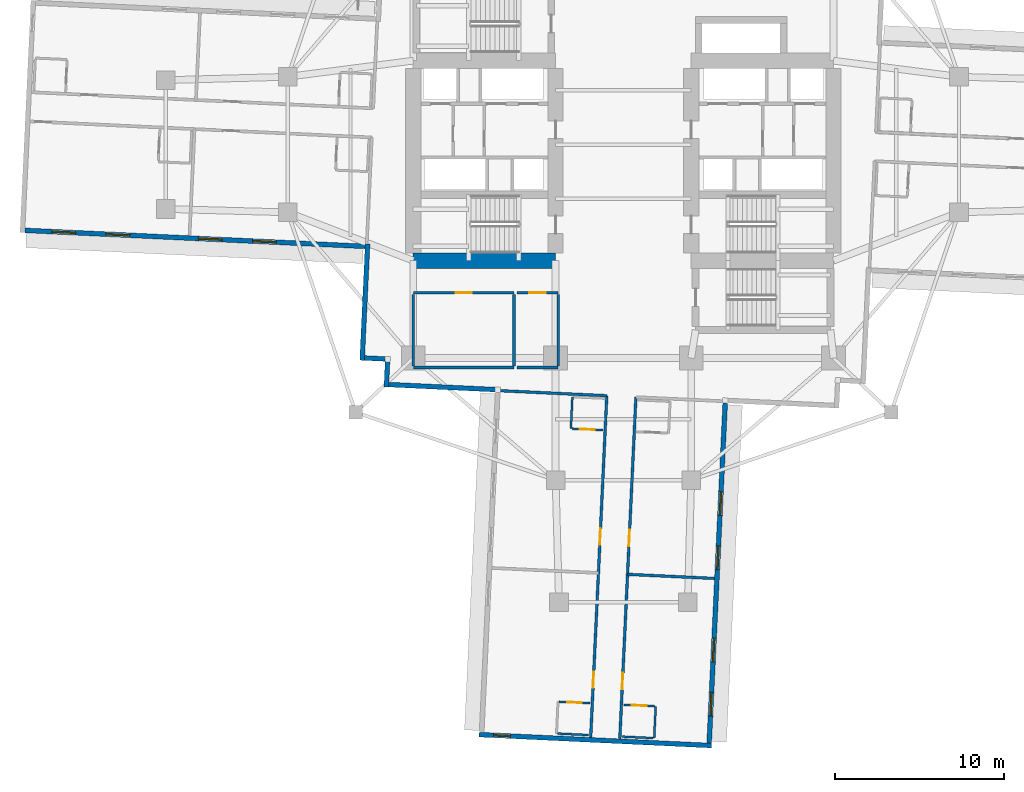
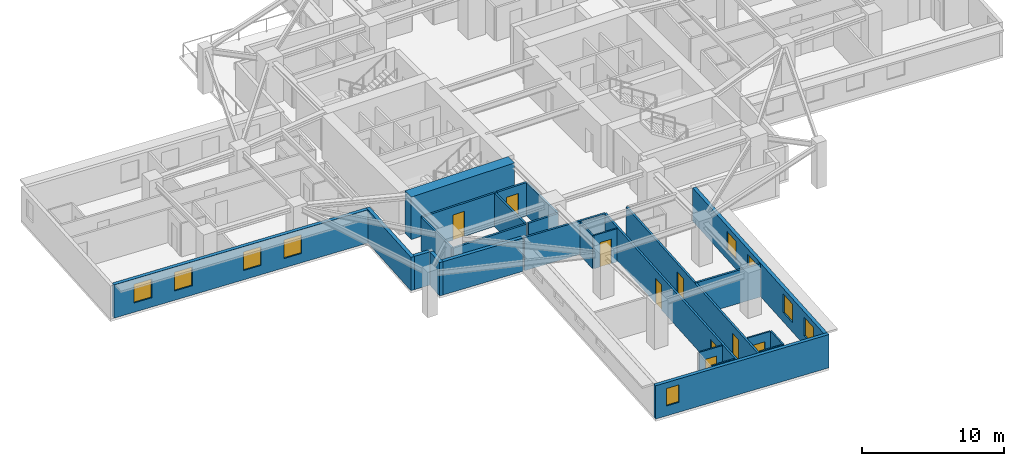
# One storey, part 3 of 13: 26 walls, 9 doors, 9 windows, 18 openings.
"""IFC4 building model written with IfcOpenShell, lengths in metres."""

from ifc_helpers import new_model, si_unit, direction, frame, frame_2d, origin, place, context, subcontext, project, spatial, rectangle, extrude, material, layer, layer_set, type_object, element, fill, save


model = new_model("IFC4")

# Units and contexts
model_context = context("Model", 3, precision=1e-05, world=origin(), true_north=direction((0.0, 1.0)))
body_context = subcontext(model_context, "Body", "Model", "MODEL_VIEW")
ifc_project = project(units=[si_unit("LENGTHUNIT", "METRE"), si_unit("AREAUNIT", "SQUARE_METRE"), si_unit("VOLUMEUNIT", "CUBIC_METRE"), si_unit("PLANEANGLEUNIT", "RADIAN"), si_unit("MASSUNIT", "GRAM", prefix="KILO")], contexts=[model_context])

# Site, building, storey
site_placement = place(None, origin())
site = spatial("IfcSite", under=ifc_project, at=site_placement, CompositionType="ELEMENT")
building_placement = place(site_placement, origin())
building = spatial("IfcBuilding", under=site, at=building_placement, Name="Qingluan Cross Belvedere", CompositionType="ELEMENT")
storey_placement = place(building_placement, frame((0.0, 0.0, 91.199951171875)))
storey = spatial("IfcBuildingStorey", under=building, at=storey_placement, Name="L23", CompositionType="ELEMENT", Elevation=91.199951171875)

# Walls
ifc_material_1 = material(Name="Concrete C70", Category="concrete")
ifc_layer_1 = layer(ifc_material_1, 0.89990234375, Name="CoreShearWall_900")
ifc_layer_set_1 = layer_set([ifc_layer_1], Name="Concrete C70")
wall_type_1 = type_object("IfcWallType", Name="CoreShearWall_900", PredefinedType="SHEAR", material=ifc_layer_set_1)
wall_1_placement = place(storey_placement, frame((-12.39990234375, -6.85009765625, 0.0), z_axis=(0.0, 0.0, 1.0), x_axis=(1.0, 0.0, 0.0)))
element("IfcWall", 1, at=wall_1_placement, inside=storey, type_object=wall_type_1, Name="Split core W shear wall L23-S", PredefinedType="SHEAR", context=body_context, shape_type="SweptSolid", body=[
    extrude(rectangle(XDim=8.39990234375, YDim=0.89990234375, at=frame_2d((4.199951171875, 0.0))), origin(), (0.0, 0.0, 1.0), 3.650146484375),
])
ifc_material_2 = material(Name="Gypsum plasterboard on steel stud acoustic partition", Category="steel")
ifc_layer_2 = layer(ifc_material_2, 0.159912109375, Name="CorridorPartition_160")
ifc_layer_set_2 = layer_set([ifc_layer_2], Name="Gypsum plasterboard on steel stud acoustic partition")
wall_type_2 = type_object("IfcWallType", Name="CorridorPartition_160", PredefinedType="PARTITIONING", material=ifc_layer_set_2)
wall_2_placement = place(storey_placement, frame((-12.39990234375, -13.14990234375, 0.0), z_axis=(0.0, 0.0, 1.0), x_axis=(1.0, 0.0, 0.0)))
element("IfcWall", 2, at=wall_2_placement, inside=storey, type_object=wall_type_2, Name="Partition L23:q_sw1:S", PredefinedType="PARTITIONING", context=body_context, shape_type="SweptSolid", body=[
    extrude(rectangle(XDim=5.949951171875, YDim=0.159912109375, at=frame_2d((2.97509765625, 0.0))), origin(), (0.0, 0.0, 1.0), 2.85009765625),
])

# Wall, opening, door
wall_3_placement = place(storey_placement, frame((-12.39990234375, -8.75, 0.0), z_axis=(0.0, 0.0, 1.0), x_axis=(1.0, 0.0, 0.0)))
wall_3 = element("IfcWall", 3, at=wall_3_placement, inside=storey, type_object=wall_type_2, Name="Partition L23:q_sw1:N", PredefinedType="PARTITIONING", context=body_context, shape_type="SweptSolid", body=[
    extrude(rectangle(XDim=5.949951171875, YDim=0.159912109375, at=frame_2d((2.97509765625, 0.0))), origin(), (0.0, 0.0, 1.0), 2.85009765625),
])
opening_1_placement = place(wall_3_placement, frame((2.4951171875, 0.0, 0.0)))
opening_1 = element("IfcOpeningElement", 4, at=opening_1_placement, cuts=wall_3, Name="Opening GD-10", PredefinedType="OPENING", context=body_context, shape_type="SweptSolid", body=[
    extrude(rectangle(XDim=0.9599609375, YDim=2.14990234375, at=frame_2d((0.47998046875, 1.074951171875))), frame((0.0, 0.08984375, 0.0), z_axis=(0.0, -1.0, 0.0), x_axis=(1.0, 0.0, 0.0)), (0.0, 0.0, 1.0), 0.179931640625),
])
ifc_material_3 = material(Name="Timber oak fire-rated acoustic guestroom door", Category="wood")
door_type_1 = type_object("IfcDoorType", Name="GuestEntryDoor_FD60", OperationType="NOTDEFINED", PredefinedType="DOOR", material=ifc_material_3)
door_1_placement = place(opening_1_placement, origin())
door_1 = element("IfcDoor", 5, at=door_1_placement, inside=storey, type_object=door_type_1, Name="Hydrotherapy treatment room L23 door", OperationType="SINGLE_SWING_LEFT", OverallHeight=2.14990234375, OverallWidth=0.9599609375, PredefinedType="DOOR", context=body_context, shape_type="SweptSolid", body=[
    extrude(rectangle(XDim=0.9599609375, YDim=2.14990234375, at=frame_2d((0.47998046875, 1.074951171875))), frame((0.0, 0.02490234375, 0.0), z_axis=(0.0, -1.0, 0.0), x_axis=(1.0, 0.0, 0.0)), (0.0, 0.0, 1.0), 0.050048828125),
])
fill(opening_1, door_1)

# Walls
for number, where, z_axis, x_axis, name in (
    (6, (-12.39990234375, -13.06494140625, 0.0), (0.0, 0.0, 1.0), (0.0, 1.0, 0.0), "Partition L23:q_sw1:W"),
    (7, (-6.449951171875, -13.06494140625, 0.0), (0.0, 0.0, 1.0), (0.0, 1.0, 0.0), "Partition L23:q_sw1:E"),
):
    element("IfcWall", number, at=place(storey_placement, frame(where, z_axis=z_axis, x_axis=x_axis)), inside=storey, type_object=wall_type_2, Name=name, PredefinedType="PARTITIONING", context=body_context, shape_type="SweptSolid", body=[
        extrude(rectangle(XDim=4.22998046875, YDim=0.159912109375, at=frame_2d((2.114990234375, 0.0))), origin(), (0.0, 0.0, 1.0), 2.85009765625),
    ])
wall_4_placement = place(storey_placement, frame((-6.2900390625, -13.14990234375, 0.0), z_axis=(0.0, 0.0, 1.0), x_axis=(1.0, 0.0, 0.0)))
element("IfcWall", 8, at=wall_4_placement, inside=storey, type_object=wall_type_2, Name="Partition L23:q_sw2:S", PredefinedType="PARTITIONING", context=body_context, shape_type="SweptSolid", body=[
    extrude(rectangle(XDim=2.43994140625, YDim=0.159912109375, at=frame_2d((1.219970703125, 0.0))), origin(), (0.0, 0.0, 1.0), 2.85009765625),
])

# Wall, opening, door
wall_5_placement = place(storey_placement, frame((-6.2900390625, -8.75, 0.0), z_axis=(0.0, 0.0, 1.0), x_axis=(1.0, 0.0, 0.0)))
wall_5 = element("IfcWall", 9, at=wall_5_placement, inside=storey, type_object=wall_type_2, Name="Partition L23:q_sw2:N", PredefinedType="PARTITIONING", context=body_context, shape_type="SweptSolid", body=[
    extrude(rectangle(XDim=2.43994140625, YDim=0.159912109375, at=frame_2d((1.219970703125, 0.0))), origin(), (0.0, 0.0, 1.0), 2.85009765625),
])
opening_2_placement = place(wall_5_placement, frame((0.739990234375, 0.0, 0.0)))
opening_2 = element("IfcOpeningElement", 10, at=opening_2_placement, cuts=wall_5, Name="Opening GD-10", PredefinedType="OPENING", context=body_context, shape_type="SweptSolid", body=[
    extrude(rectangle(XDim=0.9599609375, YDim=2.14990234375, at=frame_2d((0.47998046875, 1.074951171875))), frame((0.0, 0.08984375, 0.0), z_axis=(0.0, -1.0, 0.0), x_axis=(1.0, 0.0, 0.0)), (0.0, 0.0, 1.0), 0.179931640625),
])
door_2_placement = place(opening_2_placement, origin())
door_2 = element("IfcDoor", 11, at=door_2_placement, inside=storey, type_object=door_type_1, Name="Southwest reading room L23 door", OperationType="SINGLE_SWING_RIGHT", OverallHeight=2.14990234375, OverallWidth=0.9599609375, PredefinedType="DOOR", context=body_context, shape_type="SweptSolid", body=[
    extrude(rectangle(XDim=0.9599609375, YDim=2.14990234375, at=frame_2d((0.47998046875, 1.074951171875))), frame((0.0, 0.02490234375, 0.0), z_axis=(0.0, -1.0, 0.0), x_axis=(1.0, 0.0, 0.0)), (0.0, 0.0, 1.0), 0.050048828125),
])
fill(opening_2, door_2)

# Wall
wall_6_placement = place(storey_placement, frame((-3.85009765625, -13.06494140625, 0.0), z_axis=(0.0, 0.0, 1.0), x_axis=(0.0, 1.0, 0.0)))
element("IfcWall", 12, at=wall_6_placement, inside=storey, type_object=wall_type_2, Name="Partition L23:q_sw2:E", PredefinedType="PARTITIONING", context=body_context, shape_type="SweptSolid", body=[
    extrude(rectangle(XDim=4.22998046875, YDim=0.159912109375, at=frame_2d((2.114990234375, 0.0))), origin(), (0.0, 0.0, 1.0), 2.85009765625),
])

# Wall, openings, doors
wall_7_placement = place(storey_placement, frame((0.739013671875, -14.9013671875, 0.0), z_axis=(0.0, 0.0, 1.0), x_axis=(-0.047117991871, -0.998889330628, 0.0)))
wall_7 = element("IfcWall", 13, at=wall_7_placement, inside=storey, type_object=wall_type_2, Name="Partition L23:S:c0", PredefinedType="PARTITIONING", context=body_context, shape_type="SweptSolid", body=[
    extrude(rectangle(XDim=20.181884765625, YDim=0.159912109375, at=frame_2d((10.0908203125, 0.0))), origin(), (0.0, 0.0, 1.0), 2.85009765625),
])
opening_3_placement = place(wall_7_placement, frame((7.8359375, 0.0, 0.0)))
opening_3 = element("IfcOpeningElement", 14, at=opening_3_placement, cuts=wall_7, Name="Opening GD-10", PredefinedType="OPENING", context=body_context, shape_type="SweptSolid", body=[
    extrude(rectangle(XDim=0.9599609375, YDim=2.14990234375, at=frame_2d((0.47998046875, 1.074951171875))), frame((0.0, 0.08984375, 0.0), z_axis=(0.0, -1.0, 0.0), x_axis=(1.0, 0.0, 0.0)), (0.0, 0.0, 1.0), 0.179931640625),
])
opening_4_placement = place(wall_7_placement, frame((16.2958984375, 0.0, 0.0)))
opening_4 = element("IfcOpeningElement", 15, at=opening_4_placement, cuts=wall_7, Name="Opening GD-10", PredefinedType="OPENING", context=body_context, shape_type="SweptSolid", body=[
    extrude(rectangle(XDim=0.9599609375, YDim=2.14990234375, at=frame_2d((0.47998046875, 1.074951171875))), frame((0.0, 0.08984375, 0.0), z_axis=(0.0, -1.0, 0.0), x_axis=(1.0, 0.0, 0.0)), (0.0, 0.0, 1.0), 0.179931640625),
])
door_3_placement = place(opening_3_placement, origin())
door_3 = element("IfcDoor", 16, at=door_3_placement, inside=storey, type_object=door_type_1, Name="Guest entry fire door 2313", OperationType="SINGLE_SWING_LEFT", OverallHeight=2.14990234375, OverallWidth=0.9599609375, PredefinedType="DOOR", context=body_context, shape_type="SweptSolid", body=[
    extrude(rectangle(XDim=0.9599609375, YDim=2.14990234375, at=frame_2d((0.47998046875, 1.074951171875))), frame((0.0, 0.02490234375, 0.0), z_axis=(0.0, -1.0, 0.0), x_axis=(1.0, 0.0, 0.0)), (0.0, 0.0, 1.0), 0.050048828125),
])
fill(opening_3, door_3)
door_4_placement = place(opening_4_placement, origin())
door_4 = element("IfcDoor", 17, at=door_4_placement, inside=storey, type_object=door_type_1, Name="Guest entry fire door 2314", OperationType="SINGLE_SWING_LEFT", OverallHeight=2.14990234375, OverallWidth=0.9599609375, PredefinedType="DOOR", context=body_context, shape_type="SweptSolid", body=[
    extrude(rectangle(XDim=0.9599609375, YDim=2.14990234375, at=frame_2d((0.47998046875, 1.074951171875))), frame((0.0, 0.02490234375, 0.0), z_axis=(0.0, -1.0, 0.0), x_axis=(1.0, 0.0, 0.0)), (0.0, 0.0, 1.0), 0.050048828125),
])
fill(opening_4, door_4)

# Wall
wall_8_placement = place(storey_placement, frame((0.24560546875, -25.359619140625, 0.0), z_axis=(0.0, 0.0, 1.0), x_axis=(0.998890413328, -0.047095033298, 0.0)))
element("IfcWall", 18, at=wall_8_placement, inside=storey, type_object=wall_type_2, Name="Partition L23:S:d0_0", PredefinedType="PARTITIONING", context=body_context, shape_type="SweptSolid", body=[
    extrude(rectangle(XDim=5.132080078125, YDim=0.159912109375, at=frame_2d((2.56591796875, 0.0))), origin(), (0.0, 0.0, 1.0), 2.85009765625),
])

# Wall, openings, doors
wall_9_placement = place(storey_placement, frame((-0.979248046875, -14.8203125, 0.0), z_axis=(0.0, 0.0, 1.0), x_axis=(-0.047105352469, -0.998889926753, 0.0)))
wall_9 = element("IfcWall", 19, at=wall_9_placement, inside=storey, type_object=wall_type_2, Name="Partition L23:S:c1", PredefinedType="PARTITIONING", context=body_context, shape_type="SweptSolid", body=[
    extrude(rectangle(XDim=20.18212890625, YDim=0.159912109375, at=frame_2d((10.091064453125, 0.0))), origin(), (0.0, 0.0, 1.0), 2.85009765625),
])
opening_5_placement = place(wall_9_placement, frame((7.8359375, 0.0, 0.0)))
opening_5 = element("IfcOpeningElement", 20, at=opening_5_placement, cuts=wall_9, Name="Opening GD-10", PredefinedType="OPENING", context=body_context, shape_type="SweptSolid", body=[
    extrude(rectangle(XDim=0.9599609375, YDim=2.14990234375, at=frame_2d((0.47998046875, 1.074951171875))), frame((0.0, 0.08984375, 0.0), z_axis=(0.0, -1.0, 0.0), x_axis=(1.0, 0.0, 0.0)), (0.0, 0.0, 1.0), 0.179931640625),
])
opening_6_placement = place(wall_9_placement, frame((16.2958984375, 0.0, 0.0)))
opening_6 = element("IfcOpeningElement", 21, at=opening_6_placement, cuts=wall_9, Name="Opening GD-10", PredefinedType="OPENING", context=body_context, shape_type="SweptSolid", body=[
    extrude(rectangle(XDim=0.9599609375, YDim=2.14990234375, at=frame_2d((0.47998046875, 1.074951171875))), frame((0.0, 0.08984375, 0.0), z_axis=(0.0, -1.0, 0.0), x_axis=(1.0, 0.0, 0.0)), (0.0, 0.0, 1.0), 0.179931640625),
])
door_5_placement = place(opening_5_placement, origin())
door_5 = element("IfcDoor", 22, at=door_5_placement, inside=storey, type_object=door_type_1, Name="Guest entry fire door 2315", OperationType="SINGLE_SWING_LEFT", OverallHeight=2.14990234375, OverallWidth=0.9599609375, PredefinedType="DOOR", context=body_context, shape_type="SweptSolid", body=[
    extrude(rectangle(XDim=0.9599609375, YDim=2.14990234375, at=frame_2d((0.47998046875, 1.074951171875))), frame((0.0, 0.02490234375, 0.0), z_axis=(0.0, -1.0, 0.0), x_axis=(1.0, 0.0, 0.0)), (0.0, 0.0, 1.0), 0.050048828125),
])
fill(opening_5, door_5)
door_6_placement = place(opening_6_placement, origin())
door_6 = element("IfcDoor", 23, at=door_6_placement, inside=storey, type_object=door_type_1, Name="Guest entry fire door 2316", OperationType="SINGLE_SWING_LEFT", OverallHeight=2.14990234375, OverallWidth=0.9599609375, PredefinedType="DOOR", context=body_context, shape_type="SweptSolid", body=[
    extrude(rectangle(XDim=0.9599609375, YDim=2.14990234375, at=frame_2d((0.47998046875, 1.074951171875))), frame((0.0, 0.02490234375, 0.0), z_axis=(0.0, -1.0, 0.0), x_axis=(1.0, 0.0, 0.0)), (0.0, 0.0, 1.0), 0.050048828125),
])
fill(opening_6, door_6)

# Wall
wall_10_placement = place(storey_placement, frame((-0.979248046875, -14.8203125, 0.0), z_axis=(0.0, 0.0, 1.0), x_axis=(-0.998890922349, 0.047084235666, 0.0)))
element("IfcWall", 24, at=wall_10_placement, inside=storey, type_object=wall_type_2, Name="Partition L23:S:s1", PredefinedType="PARTITIONING", context=body_context, shape_type="SweptSolid", body=[
    extrude(rectangle(XDim=6.43994140625, YDim=0.159912109375, at=frame_2d((3.219970703125, 0.0))), origin(), (0.0, 0.0, 1.0), 2.85009765625),
])

# Wall, opening, door
ifc_material_4 = material(Name="Moisture-resistant gypsum board lining")
ifc_layer_3 = layer(ifc_material_4, 0.1201171875, Name="EnsuiteWetPartition_120")
ifc_layer_set_3 = layer_set([ifc_layer_3], Name="Moisture-resistant gypsum board lining")
wall_type_3 = type_object("IfcWallType", Name="EnsuiteWetPartition_120", PredefinedType="PARTITIONING", material=ifc_layer_set_3)
wall_11_placement = place(storey_placement, frame((0.022705078125, -33.057861328125, 0.0), z_axis=(0.0, 0.0, 1.0), x_axis=(0.998891083954, -0.047080807099, 0.0)))
wall_11 = element("IfcWall", 25, at=wall_11_placement, inside=storey, type_object=wall_type_3, Name="Partition L23:S:bs0_1", PredefinedType="PARTITIONING", context=body_context, shape_type="SweptSolid", body=[
    extrude(rectangle(XDim=1.820068359375, YDim=0.1201171875, at=frame_2d((0.91015625, 0.0))), origin(), (0.0, 0.0, 1.0), 2.85009765625),
])
opening_7_placement = place(wall_11_placement, frame((0.469970703125, 0.0, 0.0)))
opening_7 = element("IfcOpeningElement", 26, at=opening_7_placement, cuts=wall_11, Name="Opening BD-09", PredefinedType="OPENING", context=body_context, shape_type="SweptSolid", body=[
    extrude(rectangle(XDim=0.8798828125, YDim=2.10009765625, at=frame_2d((0.43994140625, 1.050048828125))), frame((0.0, 0.070068359375, 0.0), z_axis=(0.0, -1.0, 0.0), x_axis=(1.0, 0.0, 0.0)), (0.0, 0.0, 1.0), 0.14013671875),
])
ifc_material_5 = material(Name="Moisture-sealed timber en-suite door", Category="wood")
door_type_2 = type_object("IfcDoorType", Name="BathroomDoor_880", OperationType="NOTDEFINED", PredefinedType="DOOR", material=ifc_material_5)
door_7_placement = place(opening_7_placement, origin())
door_7 = element("IfcDoor", 27, at=door_7_placement, inside=storey, type_object=door_type_2, Name="Bathroom door 2314", OperationType="SINGLE_SWING_RIGHT", OverallHeight=2.10009765625, OverallWidth=0.8798828125, PredefinedType="DOOR", context=body_context, shape_type="SweptSolid", body=[
    extrude(rectangle(XDim=0.8798828125, YDim=2.10009765625, at=frame_2d((0.43994140625, 1.050048828125))), frame((0.0, 0.02490234375, 0.0), z_axis=(0.0, -1.0, 0.0), x_axis=(1.0, 0.0, 0.0)), (0.0, 0.0, 1.0), 0.050048828125),
])
fill(opening_7, door_7)

# Walls
wall_12_placement = place(storey_placement, frame((-0.06591796875, -34.935791015625, 0.0), z_axis=(0.0, 0.0, 1.0), x_axis=(0.998891083954, -0.047080807099, 0.0)))
element("IfcWall", 28, at=wall_12_placement, inside=storey, type_object=wall_type_3, Name="Partition L23:S:bw0_1", PredefinedType="PARTITIONING", context=body_context, shape_type="SweptSolid", body=[
    extrude(rectangle(XDim=1.820068359375, YDim=0.1201171875, at=frame_2d((0.91015625, 0.0))), origin(), (0.0, 0.0, 1.0), 2.85009765625),
])
wall_13_placement = place(storey_placement, frame((1.90576171875, -33.146484375, 0.0), z_axis=(0.0, 0.0, 1.0), x_axis=(-0.047139425368, -0.998888319371, 0.0)))
element("IfcWall", 29, at=wall_13_placement, inside=storey, type_object=wall_type_3, Name="Partition L23:S:bn0_1", PredefinedType="PARTITIONING", context=body_context, shape_type="SweptSolid", body=[
    extrude(rectangle(XDim=1.880126953125, YDim=0.1201171875, at=frame_2d((0.93994140625, 0.0))), origin(), (0.0, 0.0, 1.0), 2.85009765625),
])

# Wall, opening, door
wall_14_placement = place(storey_placement, frame((-3.033203125, -16.765625, 0.0), z_axis=(0.0, 0.0, 1.0), x_axis=(0.998884766924, -0.047214641863, 0.0)))
wall_14 = element("IfcWall", 30, at=wall_14_placement, inside=storey, type_object=wall_type_3, Name="Partition L23:S:bs1_0", PredefinedType="PARTITIONING", context=body_context, shape_type="SweptSolid", body=[
    extrude(rectangle(XDim=1.820068359375, YDim=0.1201171875, at=frame_2d((0.91015625, 0.0))), origin(), (0.0, 0.0, 1.0), 2.85009765625),
])
opening_8_placement = place(wall_14_placement, frame((0.469970703125, 0.0, 0.0)))
opening_8 = element("IfcOpeningElement", 31, at=opening_8_placement, cuts=wall_14, Name="Opening BD-09", PredefinedType="OPENING", context=body_context, shape_type="SweptSolid", body=[
    extrude(rectangle(XDim=0.8798828125, YDim=2.10009765625, at=frame_2d((0.43994140625, 1.050048828125))), frame((0.0, 0.070068359375, 0.0), z_axis=(0.0, -1.0, 0.0), x_axis=(1.0, 0.0, 0.0)), (0.0, 0.0, 1.0), 0.14013671875),
])
door_8_placement = place(opening_8_placement, origin())
door_8 = element("IfcDoor", 32, at=door_8_placement, inside=storey, type_object=door_type_2, Name="Bathroom door 2315", OperationType="SINGLE_SWING_RIGHT", OverallHeight=2.10009765625, OverallWidth=0.8798828125, PredefinedType="DOOR", context=body_context, shape_type="SweptSolid", body=[
    extrude(rectangle(XDim=0.8798828125, YDim=2.10009765625, at=frame_2d((0.43994140625, 1.050048828125))), frame((0.0, 0.02490234375, 0.0), z_axis=(0.0, -1.0, 0.0), x_axis=(1.0, 0.0, 0.0)), (0.0, 0.0, 1.0), 0.050048828125),
])
fill(opening_8, door_8)

# Wall
wall_15_placement = place(storey_placement, frame((-3.009521484375, -14.884765625, 0.0), z_axis=(0.0, 0.0, 1.0), x_axis=(-0.047139425368, -0.998888319371, 0.0)))
element("IfcWall", 33, at=wall_15_placement, inside=storey, type_object=wall_type_3, Name="Partition L23:S:bc1_0", PredefinedType="PARTITIONING", context=body_context, shape_type="SweptSolid", body=[
    extrude(rectangle(XDim=1.880126953125, YDim=0.1201171875, at=frame_2d((0.93994140625, 0.0))), origin(), (0.0, 0.0, 1.0), 2.85009765625),
])

# Wall, opening, door
wall_16_placement = place(storey_placement, frame((-3.79296875, -32.877685546875, 0.0), z_axis=(0.0, 0.0, 1.0), x_axis=(0.998884467853, -0.047220968666, 0.0)))
wall_16 = element("IfcWall", 34, at=wall_16_placement, inside=storey, type_object=wall_type_3, Name="Partition L23:S:bs1_1", PredefinedType="PARTITIONING", context=body_context, shape_type="SweptSolid", body=[
    extrude(rectangle(XDim=1.81982421875, YDim=0.1201171875, at=frame_2d((0.909912109375, 0.0))), origin(), (0.0, 0.0, 1.0), 2.85009765625),
])
opening_9_placement = place(wall_16_placement, frame((0.469970703125, 0.0, 0.0)))
opening_9 = element("IfcOpeningElement", 35, at=opening_9_placement, cuts=wall_16, Name="Opening BD-09", PredefinedType="OPENING", context=body_context, shape_type="SweptSolid", body=[
    extrude(rectangle(XDim=0.8798828125, YDim=2.10009765625, at=frame_2d((0.43994140625, 1.050048828125))), frame((0.0, 0.070068359375, 0.0), z_axis=(0.0, -1.0, 0.0), x_axis=(1.0, 0.0, 0.0)), (0.0, 0.0, 1.0), 0.14013671875),
])
door_9_placement = place(opening_9_placement, origin())
door_9 = element("IfcDoor", 36, at=door_9_placement, inside=storey, type_object=door_type_2, Name="Bathroom door 2316", OperationType="SINGLE_SWING_RIGHT", OverallHeight=2.10009765625, OverallWidth=0.8798828125, PredefinedType="DOOR", context=body_context, shape_type="SweptSolid", body=[
    extrude(rectangle(XDim=0.8798828125, YDim=2.10009765625, at=frame_2d((0.43994140625, 1.050048828125))), frame((0.0, 0.02490234375, 0.0), z_axis=(0.0, -1.0, 0.0), x_axis=(1.0, 0.0, 0.0)), (0.0, 0.0, 1.0), 0.050048828125),
])
fill(opening_9, door_9)

# Wall
wall_17_placement = place(storey_placement, frame((-3.881591796875, -34.755615234375, 0.0), z_axis=(0.0, 0.0, 1.0), x_axis=(0.998884766924, -0.047214641863, 0.0)))
element("IfcWall", 37, at=wall_17_placement, inside=storey, type_object=wall_type_3, Name="Partition L23:S:bw1_1", PredefinedType="PARTITIONING", context=body_context, shape_type="SweptSolid", body=[
    extrude(rectangle(XDim=1.820068359375, YDim=0.1201171875, at=frame_2d((0.91015625, 0.0))), origin(), (0.0, 0.0, 1.0), 2.85009765625),
])

# Wall, openings, windows
ifc_material_6 = material(Name="Precast concrete C45", Category="concrete")
ifc_layer_4 = layer(ifc_material_6, 0.280029296875, Name="PrecastFacadeWall_280")
ifc_layer_set_4 = layer_set([ifc_layer_4], Name="Precast concrete C45")
wall_type_4 = type_object("IfcWallType", Name="PrecastFacadeWall_280", PredefinedType="STANDARD", material=ifc_layer_set_4)
wall_18_placement = place(storey_placement, frame((-35.317626953125, -5.06201171875, 0.0), z_axis=(0.0, 0.0, 1.0), x_axis=(0.998890015344, -0.047103473814, 0.0)))
wall_18 = element("IfcWall", 38, at=wall_18_placement, inside=storey, type_object=wall_type_4, Name="Facade wall L23-WB", PredefinedType="STANDARD", context=body_context, shape_type="SweptSolid", body=[
    extrude(rectangle(XDim=20.099853515625, YDim=0.280029296875, at=frame_2d((10.0498046875, 0.0))), origin(), (0.0, 0.0, 1.0), 2.860107421875),
])
opening_10_placement = place(wall_18_placement, frame((1.60009765625, 0.0, 0.800048828125)))
opening_10 = element("IfcOpeningElement", 39, at=opening_10_placement, cuts=wall_18, Name="Opening W-01", PredefinedType="OPENING", context=body_context, shape_type="SweptSolid", body=[
    extrude(rectangle(XDim=1.39990234375, YDim=1.60009765625, at=frame_2d((0.699951171875, 0.800048828125))), frame((0.0, 0.14990234375, 0.0), z_axis=(0.0, -1.0, 0.0), x_axis=(1.0, 0.0, 0.0)), (0.0, 0.0, 1.0), 0.300048828125),
])
opening_11_placement = place(wall_18_placement, frame((4.800048828125, 0.0, 0.800048828125)))
opening_11 = element("IfcOpeningElement", 40, at=opening_11_placement, cuts=wall_18, Name="Opening W-01", PredefinedType="OPENING", context=body_context, shape_type="SweptSolid", body=[
    extrude(rectangle(XDim=1.39990234375, YDim=1.60009765625, at=frame_2d((0.699951171875, 0.800048828125))), frame((0.0, 0.14990234375, 0.0), z_axis=(0.0, -1.0, 0.0), x_axis=(1.0, 0.0, 0.0)), (0.0, 0.0, 1.0), 0.300048828125),
])
opening_12_placement = place(wall_18_placement, frame((10.25, 0.0, 0.800048828125)))
opening_12 = element("IfcOpeningElement", 41, at=opening_12_placement, cuts=wall_18, Name="Opening W-01", PredefinedType="OPENING", context=body_context, shape_type="SweptSolid", body=[
    extrude(rectangle(XDim=1.39990234375, YDim=1.60009765625, at=frame_2d((0.699951171875, 0.800048828125))), frame((0.0, 0.14990234375, 0.0), z_axis=(0.0, -1.0, 0.0), x_axis=(1.0, 0.0, 0.0)), (0.0, 0.0, 1.0), 0.300048828125),
])
opening_13_placement = place(wall_18_placement, frame((13.449951171875, 0.0, 0.800048828125)))
opening_13 = element("IfcOpeningElement", 42, at=opening_13_placement, cuts=wall_18, Name="Opening W-01", PredefinedType="OPENING", context=body_context, shape_type="SweptSolid", body=[
    extrude(rectangle(XDim=1.39990234375, YDim=1.60009765625, at=frame_2d((0.699951171875, 0.800048828125))), frame((0.0, 0.14990234375, 0.0), z_axis=(0.0, -1.0, 0.0), x_axis=(1.0, 0.0, 0.0)), (0.0, 0.0, 1.0), 0.300048828125),
])
ifc_material_7 = material(Name="Thermally broken triple Low-E glass in aluminium frame", Category="aluminium")
window_type_1 = type_object("IfcWindowType", Name="TriRibbonWin_1400x1600", PartitioningType="SINGLE_PANEL", PredefinedType="WINDOW", material=ifc_material_7)
window_1_placement = place(opening_10_placement, origin())
window_1 = element("IfcWindow", 43, at=window_1_placement, inside=storey, type_object=window_type_1, Name="Ribbon window L23-WB-1", OverallHeight=1.60009765625, OverallWidth=1.39990234375, PartitioningType="SINGLE_PANEL", PredefinedType="WINDOW", context=body_context, shape_type="SweptSolid", body=[
    extrude(rectangle(XDim=1.39990234375, YDim=1.60009765625, at=frame_2d((0.699951171875, 0.800048828125))), frame((0.0, 0.030029296875, 0.0), z_axis=(0.0, -1.0, 0.0), x_axis=(1.0, 0.0, 0.0)), (0.0, 0.0, 1.0), 0.06005859375),
])
fill(opening_10, window_1)
window_2_placement = place(opening_11_placement, origin())
window_2 = element("IfcWindow", 44, at=window_2_placement, inside=storey, type_object=window_type_1, Name="Ribbon window L23-WB-2", OverallHeight=1.60009765625, OverallWidth=1.39990234375, PartitioningType="SINGLE_PANEL", PredefinedType="WINDOW", context=body_context, shape_type="SweptSolid", body=[
    extrude(rectangle(XDim=1.39990234375, YDim=1.60009765625, at=frame_2d((0.699951171875, 0.800048828125))), frame((0.0, 0.030029296875, 0.0), z_axis=(0.0, -1.0, 0.0), x_axis=(1.0, 0.0, 0.0)), (0.0, 0.0, 1.0), 0.06005859375),
])
fill(opening_11, window_2)
window_3_placement = place(opening_12_placement, origin())
window_3 = element("IfcWindow", 45, at=window_3_placement, inside=storey, type_object=window_type_1, Name="Ribbon window L23-WB-3", OverallHeight=1.60009765625, OverallWidth=1.39990234375, PartitioningType="SINGLE_PANEL", PredefinedType="WINDOW", context=body_context, shape_type="SweptSolid", body=[
    extrude(rectangle(XDim=1.39990234375, YDim=1.60009765625, at=frame_2d((0.699951171875, 0.800048828125))), frame((0.0, 0.030029296875, 0.0), z_axis=(0.0, -1.0, 0.0), x_axis=(1.0, 0.0, 0.0)), (0.0, 0.0, 1.0), 0.06005859375),
])
fill(opening_12, window_3)
window_4_placement = place(opening_13_placement, origin())
window_4 = element("IfcWindow", 46, at=window_4_placement, inside=storey, type_object=window_type_1, Name="Ribbon window L23-WB-4", OverallHeight=1.60009765625, OverallWidth=1.39990234375, PartitioningType="SINGLE_PANEL", PredefinedType="WINDOW", context=body_context, shape_type="SweptSolid", body=[
    extrude(rectangle(XDim=1.39990234375, YDim=1.60009765625, at=frame_2d((0.699951171875, 0.800048828125))), frame((0.0, 0.030029296875, 0.0), z_axis=(0.0, -1.0, 0.0), x_axis=(1.0, 0.0, 0.0)), (0.0, 0.0, 1.0), 0.06005859375),
])
fill(opening_13, window_4)

wall_19_placement = place(storey_placement, frame((5.06201171875, -35.317626953125, 0.0), z_axis=(0.0, 0.0, 1.0), x_axis=(0.047103473814, 0.998890015344, 0.0)))
wall_19 = element("IfcWall", 47, at=wall_19_placement, inside=storey, type_object=wall_type_4, Name="Facade wall L23-SB", PredefinedType="STANDARD", context=body_context, shape_type="SweptSolid", body=[
    extrude(rectangle(XDim=20.099853515625, YDim=0.280029296875, at=frame_2d((10.0498046875, 0.0))), origin(), (0.0, 0.0, 1.0), 2.860107421875),
])
opening_14_placement = place(wall_19_placement, frame((1.60009765625, 0.0, 0.800048828125)))
opening_14 = element("IfcOpeningElement", 48, at=opening_14_placement, cuts=wall_19, Name="Opening W-01", PredefinedType="OPENING", context=body_context, shape_type="SweptSolid", body=[
    extrude(rectangle(XDim=1.39990234375, YDim=1.60009765625, at=frame_2d((0.699951171875, 0.800048828125))), frame((0.0, 0.14990234375, 0.0), z_axis=(0.0, -1.0, 0.0), x_axis=(1.0, 0.0, 0.0)), (0.0, 0.0, 1.0), 0.300048828125),
])
opening_15_placement = place(wall_19_placement, frame((4.800048828125, 0.0, 0.800048828125)))
opening_15 = element("IfcOpeningElement", 49, at=opening_15_placement, cuts=wall_19, Name="Opening W-01", PredefinedType="OPENING", context=body_context, shape_type="SweptSolid", body=[
    extrude(rectangle(XDim=1.39990234375, YDim=1.60009765625, at=frame_2d((0.699951171875, 0.800048828125))), frame((0.0, 0.14990234375, 0.0), z_axis=(0.0, -1.0, 0.0), x_axis=(1.0, 0.0, 0.0)), (0.0, 0.0, 1.0), 0.300048828125),
])
opening_16_placement = place(wall_19_placement, frame((10.25, 0.0, 0.800048828125)))
opening_16 = element("IfcOpeningElement", 50, at=opening_16_placement, cuts=wall_19, Name="Opening W-01", PredefinedType="OPENING", context=body_context, shape_type="SweptSolid", body=[
    extrude(rectangle(XDim=1.39990234375, YDim=1.60009765625, at=frame_2d((0.699951171875, 0.800048828125))), frame((0.0, 0.14990234375, 0.0), z_axis=(0.0, -1.0, 0.0), x_axis=(1.0, 0.0, 0.0)), (0.0, 0.0, 1.0), 0.300048828125),
])
opening_17_placement = place(wall_19_placement, frame((13.449951171875, 0.0, 0.800048828125)))
opening_17 = element("IfcOpeningElement", 51, at=opening_17_placement, cuts=wall_19, Name="Opening W-01", PredefinedType="OPENING", context=body_context, shape_type="SweptSolid", body=[
    extrude(rectangle(XDim=1.39990234375, YDim=1.60009765625, at=frame_2d((0.699951171875, 0.800048828125))), frame((0.0, 0.14990234375, 0.0), z_axis=(0.0, -1.0, 0.0), x_axis=(1.0, 0.0, 0.0)), (0.0, 0.0, 1.0), 0.300048828125),
])
window_5_placement = place(opening_14_placement, origin())
window_5 = element("IfcWindow", 52, at=window_5_placement, inside=storey, type_object=window_type_1, Name="Ribbon window L23-SB-1", OverallHeight=1.60009765625, OverallWidth=1.39990234375, PartitioningType="SINGLE_PANEL", PredefinedType="WINDOW", context=body_context, shape_type="SweptSolid", body=[
    extrude(rectangle(XDim=1.39990234375, YDim=1.60009765625, at=frame_2d((0.699951171875, 0.800048828125))), frame((0.0, 0.030029296875, 0.0), z_axis=(0.0, -1.0, 0.0), x_axis=(1.0, 0.0, 0.0)), (0.0, 0.0, 1.0), 0.06005859375),
])
fill(opening_14, window_5)
window_6_placement = place(opening_15_placement, origin())
window_6 = element("IfcWindow", 53, at=window_6_placement, inside=storey, type_object=window_type_1, Name="Ribbon window L23-SB-2", OverallHeight=1.60009765625, OverallWidth=1.39990234375, PartitioningType="SINGLE_PANEL", PredefinedType="WINDOW", context=body_context, shape_type="SweptSolid", body=[
    extrude(rectangle(XDim=1.39990234375, YDim=1.60009765625, at=frame_2d((0.699951171875, 0.800048828125))), frame((0.0, 0.030029296875, 0.0), z_axis=(0.0, -1.0, 0.0), x_axis=(1.0, 0.0, 0.0)), (0.0, 0.0, 1.0), 0.06005859375),
])
fill(opening_15, window_6)
window_7_placement = place(opening_16_placement, origin())
window_7 = element("IfcWindow", 54, at=window_7_placement, inside=storey, type_object=window_type_1, Name="Ribbon window L23-SB-3", OverallHeight=1.60009765625, OverallWidth=1.39990234375, PartitioningType="SINGLE_PANEL", PredefinedType="WINDOW", context=body_context, shape_type="SweptSolid", body=[
    extrude(rectangle(XDim=1.39990234375, YDim=1.60009765625, at=frame_2d((0.699951171875, 0.800048828125))), frame((0.0, 0.030029296875, 0.0), z_axis=(0.0, -1.0, 0.0), x_axis=(1.0, 0.0, 0.0)), (0.0, 0.0, 1.0), 0.06005859375),
])
fill(opening_16, window_7)
window_8_placement = place(opening_17_placement, origin())
window_8 = element("IfcWindow", 55, at=window_8_placement, inside=storey, type_object=window_type_1, Name="Ribbon window L23-SB-4", OverallHeight=1.60009765625, OverallWidth=1.39990234375, PartitioningType="SINGLE_PANEL", PredefinedType="WINDOW", context=body_context, shape_type="SweptSolid", body=[
    extrude(rectangle(XDim=1.39990234375, YDim=1.60009765625, at=frame_2d((0.699951171875, 0.800048828125))), frame((0.0, 0.030029296875, 0.0), z_axis=(0.0, -1.0, 0.0), x_axis=(1.0, 0.0, 0.0)), (0.0, 0.0, 1.0), 0.06005859375),
])
fill(opening_17, window_8)

# Wall, opening, window
wall_20_placement = place(storey_placement, frame((-8.509521484375, -34.81787109375, 0.0), z_axis=(0.0, 0.0, 1.0), x_axis=(0.998890092147, -0.047101845086, 0.0)))
wall_20 = element("IfcWall", 56, at=wall_20_placement, inside=storey, type_object=wall_type_4, Name="Arm tip precast facade wall L23-S", PredefinedType="STANDARD", context=body_context, shape_type="SweptSolid", body=[
    extrude(rectangle(XDim=13.719970703125, YDim=0.280029296875, at=frame_2d((6.85986328125, 0.0))), origin(), (0.0, 0.0, 1.0), 2.860107421875),
])
opening_18_placement = place(wall_20_placement, frame((0.85009765625, 0.0, 0.85009765625)))
opening_18 = element("IfcOpeningElement", 57, at=opening_18_placement, cuts=wall_20, Name="Opening W-03", PredefinedType="OPENING", context=body_context, shape_type="SweptSolid", body=[
    extrude(rectangle(XDim=1.0, YDim=1.5, at=frame_2d((0.5, 0.75))), frame((0.0, 0.14990234375, 0.0), z_axis=(0.0, -1.0, 0.0), x_axis=(1.0, 0.0, 0.0)), (0.0, 0.0, 1.0), 0.300048828125),
])
ifc_material_8 = material(Name="Thermally broken triple Low-E glass in aluminium frame", Category="aluminium")
window_type_2 = type_object("IfcWindowType", Name="TriApexWin_1000x1500", PartitioningType="SINGLE_PANEL", PredefinedType="WINDOW", material=ifc_material_8)
window_9_placement = place(opening_18_placement, origin())
window_9 = element("IfcWindow", 58, at=window_9_placement, inside=storey, type_object=window_type_2, Name="Arm tip triangular window L23-S", OverallHeight=1.5, OverallWidth=1.0, PartitioningType="SINGLE_PANEL", PredefinedType="WINDOW", context=body_context, shape_type="SweptSolid", body=[
    extrude(rectangle(XDim=1.0, YDim=1.5, at=frame_2d((0.5, 0.75))), frame((0.0, 0.030029296875, 0.0), z_axis=(0.0, -1.0, 0.0), x_axis=(1.0, 0.0, 0.0)), (0.0, 0.0, 1.0), 0.06005859375),
])
fill(opening_18, window_9)

# Walls
wall_21_placement = place(storey_placement, frame((-15.093505859375, -5.87548828125, 0.0), z_axis=(0.0, 0.0, 1.0), x_axis=(-0.04712043756, -0.998889215261, 0.0)))
element("IfcWall", 59, at=wall_21_placement, inside=storey, type_object=wall_type_4, Name="Corner wall L23-SW1", PredefinedType="STANDARD", context=body_context, shape_type="SweptSolid", body=[
    extrude(rectangle(XDim=6.85986328125, YDim=0.280029296875, at=frame_2d((3.429931640625, 0.0))), origin(), (0.0, 0.0, 1.0), 2.860107421875),
])
wall_22_placement = place(storey_placement, frame((-15.270263671875, -12.5947265625, 0.0), z_axis=(0.0, 0.0, 1.0), x_axis=(0.998893795343, -0.047023245574, 0.0)))
element("IfcWall", 60, at=wall_22_placement, inside=storey, type_object=wall_type_4, Name="Corner wall L23-SW2", PredefinedType="STANDARD", context=body_context, shape_type="SweptSolid", body=[
    extrude(rectangle(XDim=1.22021484375, YDim=0.280029296875, at=frame_2d((0.610107421875, 0.0))), origin(), (0.0, 0.0, 1.0), 2.860107421875),
])
wall_23_placement = place(storey_placement, frame((-13.918212890625, -12.798583984375, 0.0), z_axis=(0.0, 0.0, 1.0), x_axis=(-0.047201688113, -0.99888537913, 0.0)))
element("IfcWall", 61, at=wall_23_placement, inside=storey, type_object=wall_type_4, Name="Corner wall L23-SW3", PredefinedType="STANDARD", context=body_context, shape_type="SweptSolid", body=[
    extrude(rectangle(XDim=1.5, YDim=0.280029296875, at=frame_2d((0.75, 0.0))), origin(), (0.0, 0.0, 1.0), 2.860107421875),
])
wall_24_placement = place(storey_placement, frame((-13.842529296875, -14.16357421875, 0.0), z_axis=(0.0, 0.0, 1.0), x_axis=(0.998889082162, -0.047123258997, 0.0)))
element("IfcWall", 62, at=wall_24_placement, inside=storey, type_object=wall_type_4, Name="Corner wall L23-SW4", PredefinedType="STANDARD", context=body_context, shape_type="SweptSolid", body=[
    extrude(rectangle(XDim=6.300048828125, YDim=0.280029296875, at=frame_2d((3.14990234375, 0.0))), origin(), (0.0, 0.0, 1.0), 2.860107421875),
])

save(model, "model.ifc")
